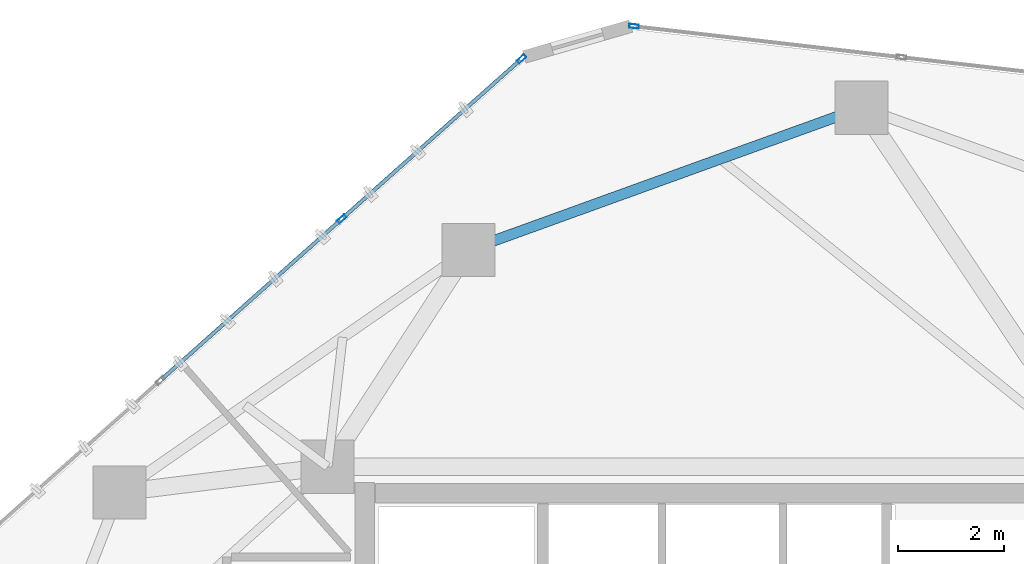
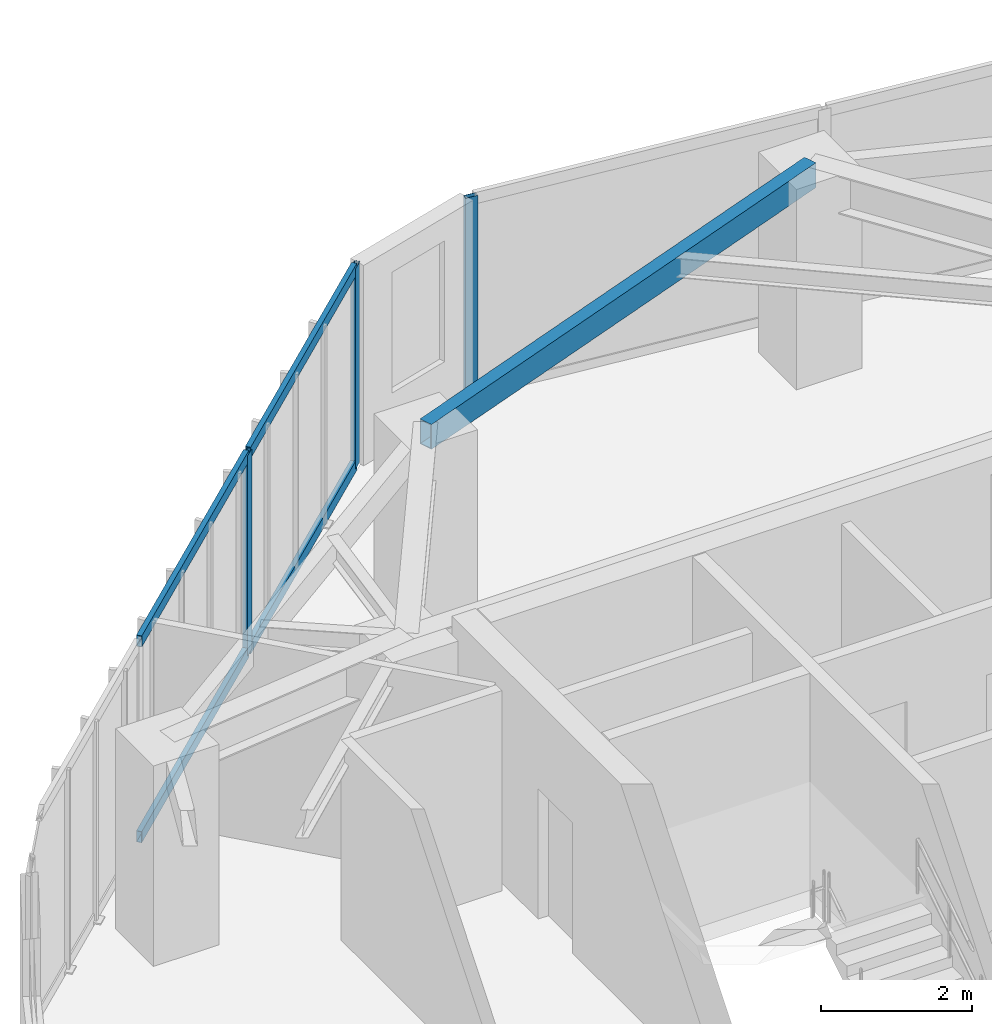
# One storey, part 12 of 20: 7 members, 1 beam, 2 elements without a shape of their own.
"""IFC4 building model written with IfcOpenShell, lengths in metres."""

from ifc_helpers import new_model, si_unit, direction, frame, origin, origin_2d, place, context, subcontext, project, spatial, hollow_rectangle, extrude, source, transform, mapped, material, layer, layer_set, material_profile, profile_set, type_object, type_shapes, element, aggregate, save


model = new_model("IFC4")

# Units and contexts
model_context = context("Model", 3, precision=1e-05, world=origin(), true_north=direction((0.0, 1.0)))
body_context = subcontext(model_context, "Body", "Model", "MODEL_VIEW")
ifc_project = project(units=[si_unit("LENGTHUNIT", "METRE"), si_unit("AREAUNIT", "SQUARE_METRE"), si_unit("VOLUMEUNIT", "CUBIC_METRE"), si_unit("PLANEANGLEUNIT", "RADIAN"), si_unit("MASSUNIT", "GRAM", prefix="KILO")], contexts=[model_context])

# Site, building, storey
site_placement = place(None, origin())
site = spatial("IfcSite", under=ifc_project, at=site_placement, CompositionType="ELEMENT")
building_placement = place(site_placement, origin())
building = spatial("IfcBuilding", under=site, at=building_placement, Name="Talar Marvaseh", CompositionType="ELEMENT")
storey_placement = place(building_placement, frame((0.0, 0.0, 215.199951171875)))
storey = spatial("IfcBuildingStorey", under=building, at=storey_placement, Name="L56", CompositionType="ELEMENT", Elevation=215.199951171875)

# Beam
ifc_material_1 = material(Name="Steel S355", Category="steel")
ifc_material_profile_1 = material_profile(ifc_material_1, hollow_rectangle(XDim=0.199951171875, YDim=0.39990234375, WallThickness=0.013916015625, at=origin_2d()), Name="RHS400x200x14")
ifc_profile_set_1 = profile_set([ifc_material_profile_1], Name="Steel S355")
beam_type = type_object("IfcBeamType", Name="Zone 3 Perimeter Spandrel Beam RHS400x200x14", PredefinedType="SPANDREL", material=ifc_profile_set_1)
beam_placement = place(storey_placement, frame((21.35205078125, 40.986083984375, 3.030029296875), z_axis=(0.940368006783, 0.340158803824, 0.0), x_axis=(-0.340158803824, 0.940368006783, 0.0)))
element("IfcBeam", 1, at=beam_placement, inside=storey, type_object=beam_type, Name="L56 Zone 3 Perimeter Spandrel Beam RHS400x200x14", PredefinedType="SPANDREL", context=body_context, shape_type="SweptSolid", body=[
    extrude(hollow_rectangle(XDim=0.199951171875, YDim=0.39990234375, WallThickness=0.013916015625, at=origin_2d()), origin(), (0.0, 0.0, 1.0), 7.88427734375),
])

# Curtain wall, members
ifc_material_2 = material(Name="Architectural Aluminium", Category="aluminium")
ifc_layer = layer(ifc_material_2, 0.18994140625)
ifc_layer_set = layer_set([ifc_layer], Name="Architectural Aluminium")
curtain_wall_type = type_object("IfcCurtainWallType", Name="Unitised Solar Atelier Curtain Wall Z3", PredefinedType="NOTDEFINED", material=ifc_layer_set)
curtain_wall_1_placement = place(storey_placement, origin())
curtain_wall_1 = element("IfcCurtainWall", 2, at=curtain_wall_1_placement, inside=storey, type_object=curtain_wall_type, Name="L56 Unitised Solar Atelier Curtain Wall Z3", PredefinedType="NOTDEFINED")
ifc_material_profile_2 = material_profile(ifc_material_2, hollow_rectangle(XDim=0.074951171875, YDim=0.179931640625, WallThickness=0.0048828125, at=origin_2d()), Name="RHS180x75x5")
ifc_profile_set_2 = profile_set([ifc_material_profile_2], Name="Architectural Aluminium")
member_type_1 = type_object("IfcMemberType", Name="Unitised Curtain Wall Standard Mullion RHS180x75x5", PredefinedType="MULLION", material=ifc_profile_set_2)
shared_shape_1 = source(origin(), body_context, "Body", "SweptSolid", [
    extrude(hollow_rectangle(XDim=0.074951171875, YDim=0.179931640625, WallThickness=0.0048828125, at=origin_2d()), origin(), (0.0, 0.0, 1.0), 3.22998046875),
])
type_shapes(member_type_1, [shared_shape_1])
member_1_placement = place(storey_placement, frame((18.96630859375, 41.56982421875, 0.0), z_axis=(0.0, 0.0, 1.0), x_axis=(-0.664998221476, 0.74684494069, 0.0)))
member_1 = element("IfcMember", 3, at=member_1_placement, type_object=member_type_1, Name="CW-Z3 mullion 3", PredefinedType="MULLION", context=body_context, shape_type="MappedRepresentation", body=[
    mapped(shared_shape_1, transform((0.0, 0.0, 0.0), x_axis=(1.0, 0.0, 0.0), y_axis=(0.0, 1.0, 0.0), z_axis=(0.0, 0.0, 1.0), scale=1.0)),
])
member_2_placement = place(storey_placement, frame((22.356689453125, 44.5888671875, 0.0), z_axis=(0.0, 0.0, 1.0), x_axis=(-0.664998221476, 0.74684494069, 0.0)))
member_2 = element("IfcMember", 4, at=member_2_placement, type_object=member_type_1, Name="CW-Z3 mullion 4", PredefinedType="MULLION", context=body_context, shape_type="MappedRepresentation", body=[
    mapped(shared_shape_1, transform((0.0, 0.0, 0.0), x_axis=(1.0, 0.0, 0.0), y_axis=(0.0, 1.0, 0.0), z_axis=(0.0, 0.0, 1.0), scale=1.0)),
])

# Curtain wall, member
curtain_wall_2_placement = place(storey_placement, origin())
curtain_wall_2 = element("IfcCurtainWall", 5, at=curtain_wall_2_placement, inside=storey, type_object=curtain_wall_type, Name="L56 Unitised Solar Atelier Curtain Wall Z3", PredefinedType="NOTDEFINED")
member_3_placement = place(storey_placement, frame((24.47509765625, 45.2041015625, 0.0), z_axis=(0.0, 0.0, 1.0), x_axis=(0.114870315646, 0.993380496378, 0.0)))
member_3 = element("IfcMember", 6, at=member_3_placement, type_object=member_type_1, Name="CW-Z3 mullion 1", PredefinedType="MULLION", context=body_context, shape_type="MappedRepresentation", body=[
    mapped(shared_shape_1, transform((0.0, 0.0, 0.0), x_axis=(1.0, 0.0, 0.0), y_axis=(0.0, 1.0, 0.0), z_axis=(0.0, 0.0, 1.0), scale=1.0)),
])
aggregate(curtain_wall_2, [member_3])

# Member
ifc_material_profile_3 = material_profile(ifc_material_2, hollow_rectangle(XDim=0.074951171875, YDim=0.179931640625, WallThickness=0.0048828125, at=origin_2d()), Name="RHS180x75x5")
ifc_profile_set_3 = profile_set([ifc_material_profile_3], Name="Architectural Aluminium")
member_type_2 = type_object("IfcMemberType", Name="Unitised Curtain Wall Transom RHS180x75x5", PredefinedType="USERDEFINED", material=ifc_profile_set_3)
shared_shape_2 = source(origin(), body_context, "Body", "SweptSolid", [
    extrude(hollow_rectangle(XDim=0.074951171875, YDim=0.179931640625, WallThickness=0.0048828125, at=origin_2d()), origin(), (0.0, 0.0, 1.0), 4.464599609375),
])
member_4_placement = place(storey_placement, frame((18.994140625, 41.5947265625, 0.03759765625), z_axis=(0.746850918303, 0.664991508089, 0.0), x_axis=(-0.664991508089, 0.746850918303, 0.0)))
member_4 = element("IfcMember", 7, at=member_4_placement, type_object=member_type_2, Name="CW-Z3 transom 3.1", ObjectType="TRANSOM", PredefinedType="USERDEFINED", context=body_context, shape_type="MappedRepresentation", body=[
    mapped(shared_shape_2, transform((0.0, 0.0, 0.0), x_axis=(1.0, 0.0, 0.0), y_axis=(0.0, 1.0, 0.0), z_axis=(0.0, 0.0, 1.0), scale=1.0)),
])

member_5_placement = place(storey_placement, frame((18.994140625, 41.5947265625, 3.192626953125), z_axis=(0.746850918303, 0.664991508089, 0.0), x_axis=(-0.664991508089, 0.746850918303, 0.0)))
member_5 = element("IfcMember", 8, at=member_5_placement, type_object=member_type_2, Name="CW-Z3 transom 3.2", ObjectType="TRANSOM", PredefinedType="USERDEFINED", context=body_context, shape_type="MappedRepresentation", body=[
    mapped(shared_shape_2, transform((0.0, 0.0, 0.0), x_axis=(1.0, 0.0, 0.0), y_axis=(0.0, 1.0, 0.0), z_axis=(0.0, 0.0, 1.0), scale=1.0)),
])

shared_shape_3 = source(origin(), body_context, "Body", "SweptSolid", [
    extrude(hollow_rectangle(XDim=0.074951171875, YDim=0.179931640625, WallThickness=0.0048828125, at=origin_2d()), origin(), (0.0, 0.0, 1.0), 4.502197265625),
])
type_shapes(member_type_2, [shared_shape_2, shared_shape_3])
member_6_placement = place(storey_placement, frame((15.57568359375, 38.551025390625, 0.03759765625), z_axis=(0.74686156424, 0.664979551461, 0.0), x_axis=(-0.664979551461, 0.74686156424, 0.0)))
member_6 = element("IfcMember", 9, at=member_6_placement, type_object=member_type_2, Name="CW-Z3 transom 2.1", ObjectType="TRANSOM", PredefinedType="USERDEFINED", context=body_context, shape_type="MappedRepresentation", body=[
    mapped(shared_shape_3, transform((0.0, 0.0, 0.0), x_axis=(1.0, 0.0, 0.0), y_axis=(0.0, 1.0, 0.0), z_axis=(0.0, 0.0, 1.0), scale=1.0)),
])

member_7_placement = place(storey_placement, frame((15.57568359375, 38.551025390625, 3.192626953125), z_axis=(0.74686156424, 0.664979551461, 0.0), x_axis=(-0.664979551461, 0.74686156424, 0.0)))
member_7 = element("IfcMember", 10, at=member_7_placement, type_object=member_type_2, Name="CW-Z3 transom 2.2", ObjectType="TRANSOM", PredefinedType="USERDEFINED", context=body_context, shape_type="MappedRepresentation", body=[
    mapped(shared_shape_3, transform((0.0, 0.0, 0.0), x_axis=(1.0, 0.0, 0.0), y_axis=(0.0, 1.0, 0.0), z_axis=(0.0, 0.0, 1.0), scale=1.0)),
])

aggregate(curtain_wall_1, [member_1, member_2, member_6, member_7, member_4, member_5])

save(model, "model.ifc")
